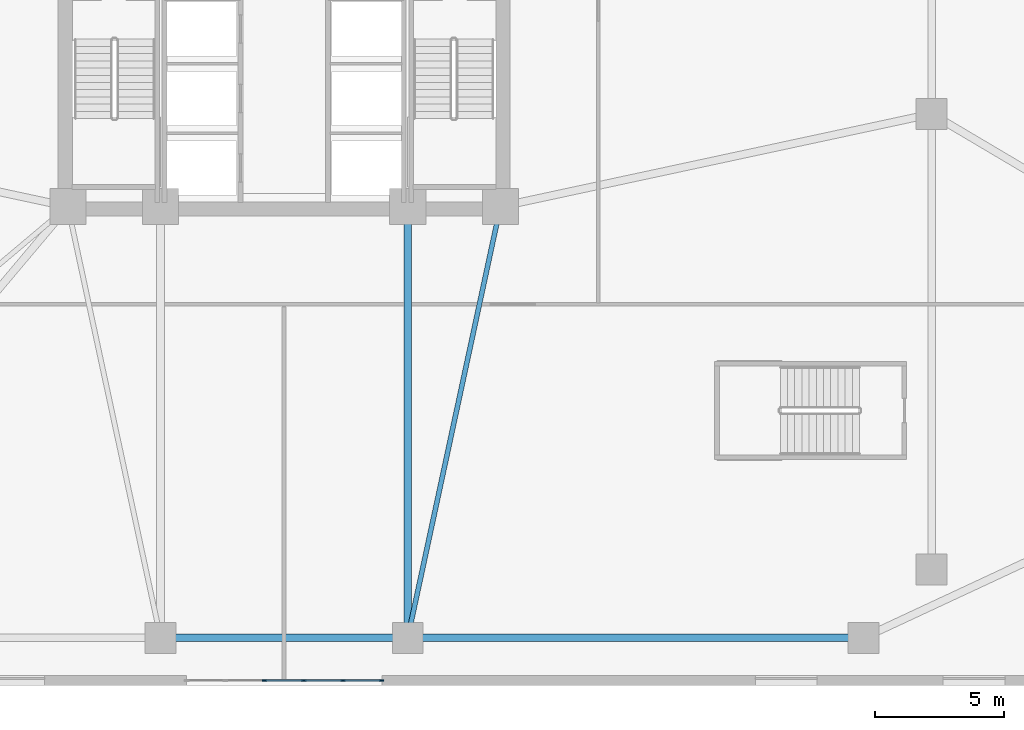
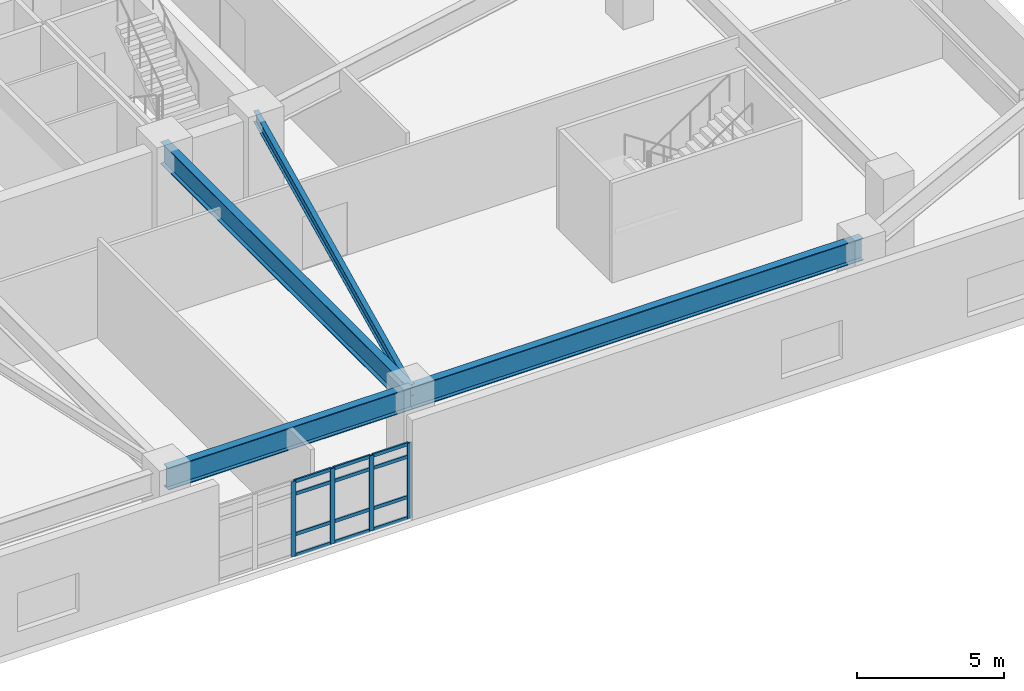
# One storey, part 5 of 21: 16 members, 4 beams, 1 element without a shape of its own.
"""IFC4 building model written with IfcOpenShell, lengths in metres."""

from ifc_helpers import new_model, si_unit, direction, frame, origin, origin_2d, place, context, subcontext, project, spatial, rectangle, i_section, extrude, material, layer, layer_set, material_profile, profile_set, type_object, element, aggregate, save


model = new_model("IFC4")

# Units and contexts
model_context = context("Model", 3, precision=1e-05, world=origin(), true_north=direction((0.0, 1.0)))
body_context = subcontext(model_context, "Body", "Model", "MODEL_VIEW")
ifc_project = project(units=[si_unit("LENGTHUNIT", "METRE"), si_unit("AREAUNIT", "SQUARE_METRE"), si_unit("VOLUMEUNIT", "CUBIC_METRE"), si_unit("PLANEANGLEUNIT", "RADIAN"), si_unit("MASSUNIT", "GRAM", prefix="KILO")], contexts=[model_context])

# Site, building, storey
site_placement = place(None, origin())
site = spatial("IfcSite", under=ifc_project, at=site_placement, CompositionType="ELEMENT")
building_placement = place(site_placement, origin())
building = spatial("IfcBuilding", under=site, at=building_placement, Name="Cairnveth Concourse Tower", CompositionType="ELEMENT")
storey_placement = place(building_placement, frame((0.0, 0.0, 14.5)))
storey = spatial("IfcBuildingStorey", under=building, at=storey_placement, Name="L03", CompositionType="ELEMENT", Elevation=14.5)

# Curtain wall, members
ifc_material_1 = material(Name="Architectural Bronze Anodised Aluminium 6063-T6", Category="aluminium")
ifc_layer = layer(ifc_material_1, 0.340087890625)
ifc_layer_set = layer_set([ifc_layer], Name="Architectural Bronze Anodised Aluminium 6063-T6")
curtain_wall_type = type_object("IfcCurtainWallType", Name="BALLROOM FOYER UNITISED CURTAIN WALL", PredefinedType="USERDEFINED", material=ifc_layer_set)
curtain_wall_placement = place(storey_placement, origin())
curtain_wall = element("IfcCurtainWall", 1, at=curtain_wall_placement, inside=storey, type_object=curtain_wall_type, Name="Curtain Wall CW-L03-S1", ObjectType="UNITISED FACADE", PredefinedType="USERDEFINED")
ifc_material_profile_1 = material_profile(ifc_material_1, rectangle(XDim=0.06494140625, YDim=0.179931640625, at=origin_2d()), Name="AL-MUL-65x180")
ifc_profile_set_1 = profile_set([ifc_material_profile_1], Name="Architectural Bronze Anodised Aluminium 6063-T6")
member_type_1 = type_object("IfcMemberType", Name="BRONZE CURTAIN WALL MULLION AL-MUL-65x180", PredefinedType="MULLION", material=ifc_profile_set_1)
member_1_placement = place(storey_placement, frame((55.782470703125, 12.18994140625, 0.0), z_axis=(0.0, 0.0, 1.0), x_axis=(0.0, -1.0, 0.0)))
member_1 = element("IfcMember", 2, at=member_1_placement, type_object=member_type_1, Name="CWS3 mullion 1", PredefinedType="MULLION", context=body_context, shape_type="SweptSolid", body=[
    extrude(rectangle(XDim=0.06494140625, YDim=0.179931640625, at=origin_2d()), origin(), (0.0, 0.0, 1.0), 3.1259765625),
])
member_2_placement = place(storey_placement, frame((54.2890625, 12.18994140625, 0.0), z_axis=(0.0, 0.0, 1.0), x_axis=(0.0, -1.0, 0.0)))
member_2 = element("IfcMember", 3, at=member_2_placement, type_object=member_type_1, Name="CWS3 mullion 2", PredefinedType="MULLION", context=body_context, shape_type="SweptSolid", body=[
    extrude(rectangle(XDim=0.06494140625, YDim=0.179931640625, at=origin_2d()), origin(), (0.0, 0.0, 1.0), 3.1259765625),
])
member_3_placement = place(storey_placement, frame((52.762939453125, 12.18994140625, 0.0), z_axis=(0.0, 0.0, 1.0), x_axis=(0.0, -1.0, 0.0)))
member_3 = element("IfcMember", 4, at=member_3_placement, type_object=member_type_1, Name="CWS3 mullion 3", PredefinedType="MULLION", context=body_context, shape_type="SweptSolid", body=[
    extrude(rectangle(XDim=0.06494140625, YDim=0.179931640625, at=origin_2d()), origin(), (0.0, 0.0, 1.0), 3.1259765625),
])
member_4_placement = place(storey_placement, frame((51.237060546875, 12.18994140625, 0.0), z_axis=(0.0, 0.0, 1.0), x_axis=(0.0, -1.0, 0.0)))
member_4 = element("IfcMember", 5, at=member_4_placement, type_object=member_type_1, Name="CWS3 mullion 4", PredefinedType="MULLION", context=body_context, shape_type="SweptSolid", body=[
    extrude(rectangle(XDim=0.06494140625, YDim=0.179931640625, at=origin_2d()), origin(), (0.0, 0.0, 1.0), 3.1259765625),
])
ifc_material_profile_2 = material_profile(ifc_material_1, rectangle(XDim=0.06494140625, YDim=0.139892578125, at=origin_2d()), Name="AL-TRN-65x140")
ifc_profile_set_2 = profile_set([ifc_material_profile_2], Name="Architectural Bronze Anodised Aluminium 6063-T6")
member_type_2 = type_object("IfcMemberType", Name="BRONZE CURTAIN WALL TRANSOM AL-TRN-65x140", PredefinedType="USERDEFINED", material=ifc_profile_set_2)
member_5_placement = place(storey_placement, frame((55.75, 12.18994140625, 0.032470703125), z_axis=(-1.0, 0.0, 0.0), x_axis=(0.0, -1.0, 0.0)))
member_5 = element("IfcMember", 6, at=member_5_placement, type_object=member_type_2, Name="CWS3 transom 1.1", ObjectType="TRANSOM", PredefinedType="USERDEFINED", context=body_context, shape_type="SweptSolid", body=[
    extrude(rectangle(XDim=0.06494140625, YDim=0.139892578125, at=origin_2d()), origin(), (0.0, 0.0, 1.0), 1.428466796875),
])
member_6_placement = place(storey_placement, frame((55.75, 12.18994140625, 0.89990234375), z_axis=(-1.0, 0.0, 0.0), x_axis=(0.0, -1.0, 0.0)))
member_6 = element("IfcMember", 7, at=member_6_placement, type_object=member_type_2, Name="CWS3 transom 1.2", ObjectType="TRANSOM", PredefinedType="USERDEFINED", context=body_context, shape_type="SweptSolid", body=[
    extrude(rectangle(XDim=0.06494140625, YDim=0.139892578125, at=origin_2d()), origin(), (0.0, 0.0, 1.0), 1.428466796875),
])
member_7_placement = place(storey_placement, frame((55.75, 12.18994140625, 2.575927734375), z_axis=(-1.0, 0.0, 0.0), x_axis=(0.0, -1.0, 0.0)))
member_7 = element("IfcMember", 8, at=member_7_placement, type_object=member_type_2, Name="CWS3 transom 1.3", ObjectType="TRANSOM", PredefinedType="USERDEFINED", context=body_context, shape_type="SweptSolid", body=[
    extrude(rectangle(XDim=0.06494140625, YDim=0.139892578125, at=origin_2d()), origin(), (0.0, 0.0, 1.0), 1.428466796875),
])
member_8_placement = place(storey_placement, frame((55.75, 12.18994140625, 3.093505859375), z_axis=(-1.0, 0.0, 0.0), x_axis=(0.0, -1.0, 0.0)))
member_8 = element("IfcMember", 9, at=member_8_placement, type_object=member_type_2, Name="CWS3 transom 1.4", ObjectType="TRANSOM", PredefinedType="USERDEFINED", context=body_context, shape_type="SweptSolid", body=[
    extrude(rectangle(XDim=0.06494140625, YDim=0.139892578125, at=origin_2d()), origin(), (0.0, 0.0, 1.0), 1.428466796875),
])
member_9_placement = place(storey_placement, frame((54.256591796875, 12.18994140625, 0.032470703125), z_axis=(-1.0, 0.0, 0.0), x_axis=(0.0, -1.0, 0.0)))
member_9 = element("IfcMember", 10, at=member_9_placement, type_object=member_type_2, Name="CWS3 transom 2.1", ObjectType="TRANSOM", PredefinedType="USERDEFINED", context=body_context, shape_type="SweptSolid", body=[
    extrude(rectangle(XDim=0.06494140625, YDim=0.139892578125, at=origin_2d()), origin(), (0.0, 0.0, 1.0), 1.461181640625),
])
member_10_placement = place(storey_placement, frame((54.256591796875, 12.18994140625, 0.89990234375), z_axis=(-1.0, 0.0, 0.0), x_axis=(0.0, -1.0, 0.0)))
member_10 = element("IfcMember", 11, at=member_10_placement, type_object=member_type_2, Name="CWS3 transom 2.2", ObjectType="TRANSOM", PredefinedType="USERDEFINED", context=body_context, shape_type="SweptSolid", body=[
    extrude(rectangle(XDim=0.06494140625, YDim=0.139892578125, at=origin_2d()), origin(), (0.0, 0.0, 1.0), 1.461181640625),
])
member_11_placement = place(storey_placement, frame((54.256591796875, 12.18994140625, 2.575927734375), z_axis=(-1.0, 0.0, 0.0), x_axis=(0.0, -1.0, 0.0)))
member_11 = element("IfcMember", 12, at=member_11_placement, type_object=member_type_2, Name="CWS3 transom 2.3", ObjectType="TRANSOM", PredefinedType="USERDEFINED", context=body_context, shape_type="SweptSolid", body=[
    extrude(rectangle(XDim=0.06494140625, YDim=0.139892578125, at=origin_2d()), origin(), (0.0, 0.0, 1.0), 1.461181640625),
])
member_12_placement = place(storey_placement, frame((54.256591796875, 12.18994140625, 3.093505859375), z_axis=(-1.0, 0.0, 0.0), x_axis=(0.0, -1.0, 0.0)))
member_12 = element("IfcMember", 13, at=member_12_placement, type_object=member_type_2, Name="CWS3 transom 2.4", ObjectType="TRANSOM", PredefinedType="USERDEFINED", context=body_context, shape_type="SweptSolid", body=[
    extrude(rectangle(XDim=0.06494140625, YDim=0.139892578125, at=origin_2d()), origin(), (0.0, 0.0, 1.0), 1.461181640625),
])
member_13_placement = place(storey_placement, frame((52.73046875, 12.18994140625, 0.032470703125), z_axis=(-1.0, 0.0, 0.0), x_axis=(0.0, -1.0, 0.0)))
member_13 = element("IfcMember", 14, at=member_13_placement, type_object=member_type_2, Name="CWS3 transom 3.1", ObjectType="TRANSOM", PredefinedType="USERDEFINED", context=body_context, shape_type="SweptSolid", body=[
    extrude(rectangle(XDim=0.06494140625, YDim=0.139892578125, at=origin_2d()), origin(), (0.0, 0.0, 1.0), 1.4609375),
])
member_14_placement = place(storey_placement, frame((52.73046875, 12.18994140625, 0.89990234375), z_axis=(-1.0, 0.0, 0.0), x_axis=(0.0, -1.0, 0.0)))
member_14 = element("IfcMember", 15, at=member_14_placement, type_object=member_type_2, Name="CWS3 transom 3.2", ObjectType="TRANSOM", PredefinedType="USERDEFINED", context=body_context, shape_type="SweptSolid", body=[
    extrude(rectangle(XDim=0.06494140625, YDim=0.139892578125, at=origin_2d()), origin(), (0.0, 0.0, 1.0), 1.4609375),
])
member_15_placement = place(storey_placement, frame((52.73046875, 12.18994140625, 2.575927734375), z_axis=(-1.0, 0.0, 0.0), x_axis=(0.0, -1.0, 0.0)))
member_15 = element("IfcMember", 16, at=member_15_placement, type_object=member_type_2, Name="CWS3 transom 3.3", ObjectType="TRANSOM", PredefinedType="USERDEFINED", context=body_context, shape_type="SweptSolid", body=[
    extrude(rectangle(XDim=0.06494140625, YDim=0.139892578125, at=origin_2d()), origin(), (0.0, 0.0, 1.0), 1.4609375),
])
member_16_placement = place(storey_placement, frame((52.73046875, 12.18994140625, 3.093505859375), z_axis=(-1.0, 0.0, 0.0), x_axis=(0.0, -1.0, 0.0)))
member_16 = element("IfcMember", 17, at=member_16_placement, type_object=member_type_2, Name="CWS3 transom 3.4", ObjectType="TRANSOM", PredefinedType="USERDEFINED", context=body_context, shape_type="SweptSolid", body=[
    extrude(rectangle(XDim=0.06494140625, YDim=0.139892578125, at=origin_2d()), origin(), (0.0, 0.0, 1.0), 1.4609375),
])
aggregate(curtain_wall, [member_1, member_2, member_3, member_4, member_5, member_6, member_7, member_8, member_9, member_10, member_11, member_12, member_13, member_14, member_15, member_16])

# Beams
ifc_material_2 = material(Name="Steel Grade 350", Category="steel")
ifc_material_profile_3 = material_profile(ifc_material_2, i_section(OverallWidth=0.18994140625, OverallDepth=0.45703125, WebThickness=0.009033203125, FlangeThickness=0.014404296875, FilletRadius=0.010986328125, at=origin_2d()), Name="460UB74.6")
ifc_profile_set_3 = profile_set([ifc_material_profile_3], Name="Steel Grade 350")
beam_type_1 = type_object("IfcBeamType", Name="PODIUM FLOOR JOIST 460UB74.6", PredefinedType="JOIST", material=ifc_profile_set_3)
beam_1_placement = place(storey_placement, frame((60.39990234375, 30.60009765625, 3.92138671875), z_axis=(-0.210118799239, -0.977675861524, 0.0), x_axis=(0.977675861524, -0.210118799239, 0.0)))
element("IfcBeam", 18, at=beam_1_placement, inside=storey, type_object=beam_type_1, Name="Beam PJ-S-X2 L03", PredefinedType="JOIST", context=body_context, shape_type="SweptSolid", body=[
    extrude(i_section(OverallWidth=0.18994140625, OverallDepth=0.45703125, WebThickness=0.009033203125, FlangeThickness=0.014404296875, FilletRadius=0.010986328125, at=origin_2d()), origin(), (0.0, 0.0, 1.0), 17.132568359375),
])
ifc_material_profile_4 = material_profile(ifc_material_2, i_section(OverallWidth=0.300048828125, OverallDepth=0.924072265625, WebThickness=0.013916015625, FlangeThickness=0.031982421875, at=origin_2d()), Name="900WB257")
ifc_profile_set_4 = profile_set([ifc_material_profile_4], Name="Steel Grade 350")
beam_type_2 = type_object("IfcBeamType", Name="PODIUM PRIMARY GIRDER 900WB257", PredefinedType="BEAM", material=ifc_profile_set_4)
beam_2_placement = place(storey_placement, frame((56.800048828125, 13.85009765625, 3.68798828125), z_axis=(0.0, 1.0, 0.0), x_axis=(-1.0, 0.0, 0.0)))
element("IfcBeam", 19, at=beam_2_placement, inside=storey, type_object=beam_type_2, Name="Beam PG-S2 L03", PredefinedType="BEAM", context=body_context, shape_type="SweptSolid", body=[
    extrude(i_section(OverallWidth=0.300048828125, OverallDepth=0.924072265625, WebThickness=0.013916015625, FlangeThickness=0.031982421875, at=origin_2d()), origin(), (0.0, 0.0, 1.0), 16.75),
])
beam_3_placement = place(storey_placement, frame((47.199951171875, 13.85009765625, 3.68798828125), z_axis=(1.0, 0.0, 0.0), x_axis=(0.0, 1.0, 0.0)))
element("IfcBeam", 20, at=beam_3_placement, inside=storey, type_object=beam_type_2, Name="Beam PR-S2 L03", PredefinedType="BEAM", context=body_context, shape_type="SweptSolid", body=[
    extrude(i_section(OverallWidth=0.300048828125, OverallDepth=0.924072265625, WebThickness=0.013916015625, FlangeThickness=0.031982421875, at=origin_2d()), origin(), (0.0, 0.0, 1.0), 9.60009765625),
])
beam_4_placement = place(storey_placement, frame((56.800048828125, 13.85009765625, 3.68798828125), z_axis=(1.0, 0.0, 0.0), x_axis=(0.0, 1.0, 0.0)))
element("IfcBeam", 21, at=beam_4_placement, inside=storey, type_object=beam_type_2, Name="Beam PR-S3 L03", PredefinedType="BEAM", context=body_context, shape_type="SweptSolid", body=[
    extrude(i_section(OverallWidth=0.300048828125, OverallDepth=0.924072265625, WebThickness=0.013916015625, FlangeThickness=0.031982421875, at=origin_2d()), origin(), (0.0, 0.0, 1.0), 17.699951171875),
])

save(model, "model.ifc")
